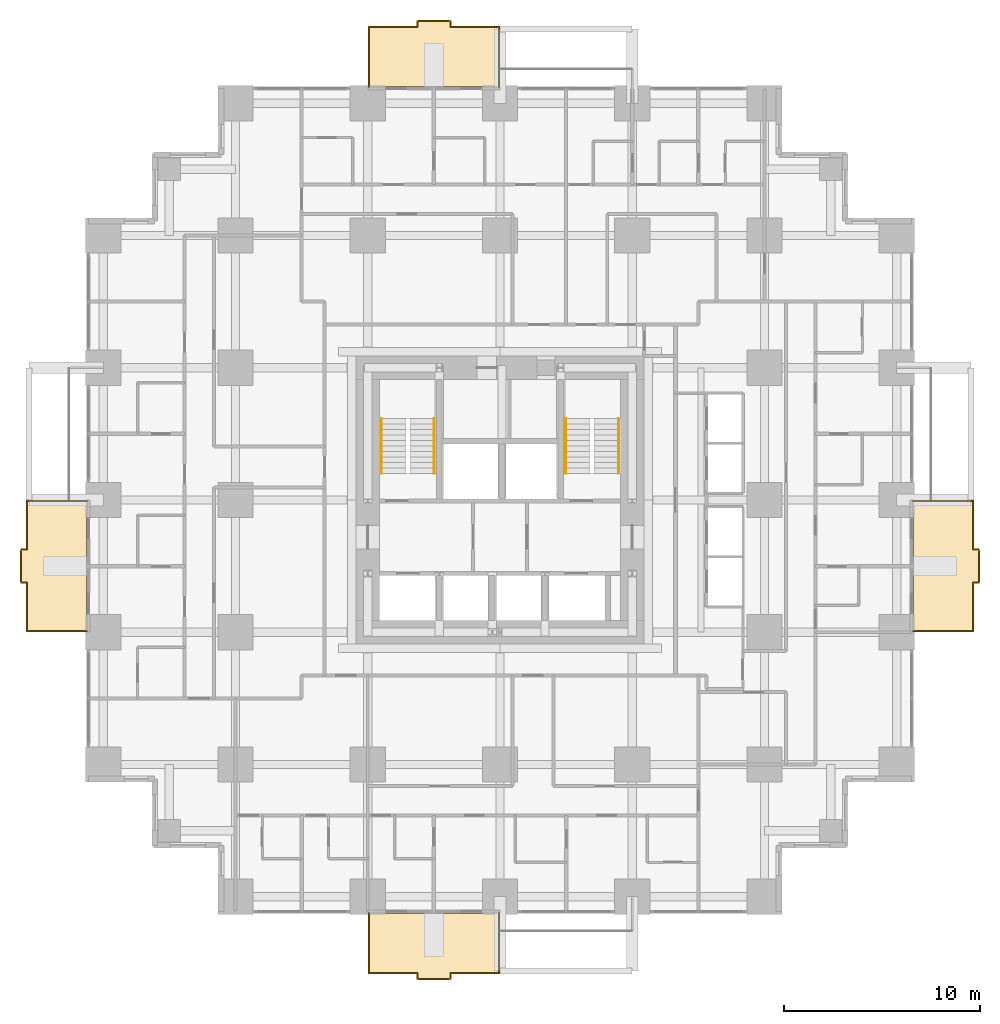
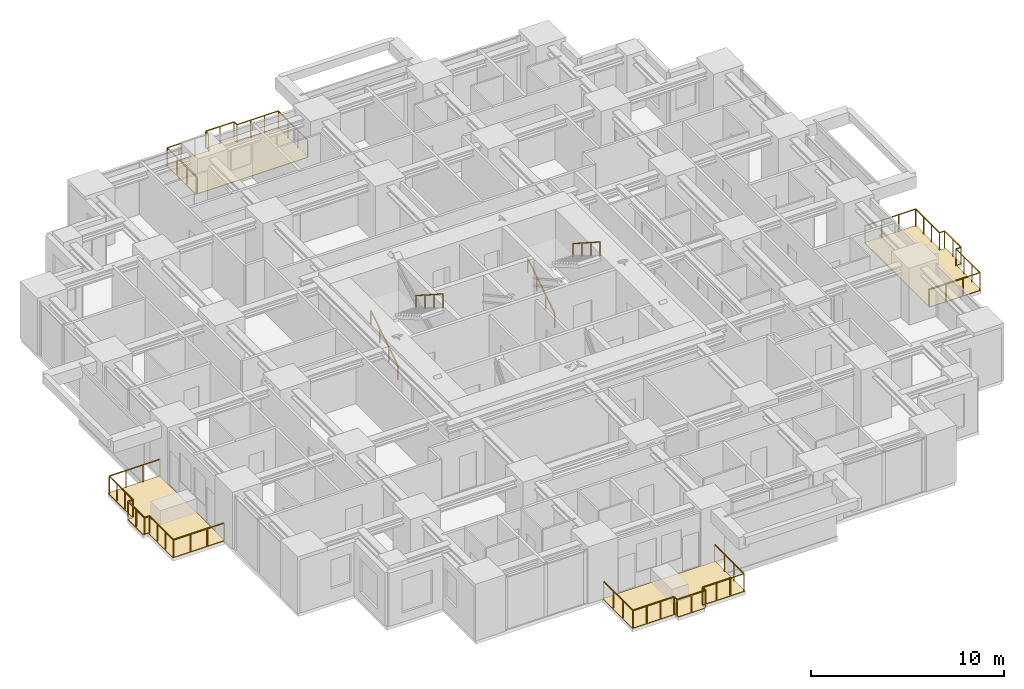
# One storey, part 14 of 14: 8 railings, 4 coverings.
"""IFC4 building model written with IfcOpenShell, lengths in metres."""

from ifc_helpers import new_model, si_unit, direction, frame, origin, origin_2d, place, context, subcontext, project, spatial, polyline, rectangle, outline, extrude, material, layer, layer_set, type_object, element, save


model = new_model("IFC4")

# Units and contexts
model_context = context("Model", 3, precision=1e-05, world=origin(), true_north=direction((0.0, 1.0)))
body_context = subcontext(model_context, "Body", "Model", "MODEL_VIEW")
ifc_project = project(units=[si_unit("LENGTHUNIT", "METRE"), si_unit("AREAUNIT", "SQUARE_METRE"), si_unit("VOLUMEUNIT", "CUBIC_METRE"), si_unit("PLANEANGLEUNIT", "RADIAN"), si_unit("MASSUNIT", "GRAM", prefix="KILO")], contexts=[model_context])

# Site, building, storey
site_placement = place(None, origin())
site = spatial("IfcSite", under=ifc_project, at=site_placement, CompositionType="ELEMENT")
building_placement = place(site_placement, origin())
building = spatial("IfcBuilding", under=site, at=building_placement, Name="Nyansa Garden Tower", CompositionType="ELEMENT")
storey_placement = place(building_placement, frame((0.0, 0.0, 54.0)))
storey = spatial("IfcBuildingStorey", under=building, at=storey_placement, Name="L14", CompositionType="ELEMENT", Elevation=54.0)

# Coverings
ifc_material_1 = material(Name="Hardwood decking on pedestals", Category="wood")
ifc_layer = layer(ifc_material_1, 0.0400390625)
ifc_layer_set = layer_set([ifc_layer], Name="Balcony decking DK40")
covering_type = type_object("IfcCoveringType", Name="Balcony decking DK40", PredefinedType="FLOORING", material=ifc_layer_set)
covering_1_placement = place(storey_placement, frame((0.0, 0.0, -0.0400390625)))
element("IfcCovering", 1, at=covering_1_placement, inside=storey, type_object=covering_type, Name="Balcony decking L14", PredefinedType="FLOORING", context=body_context, shape_type="SweptSolid", body=[
    extrude(outline(polyline([(13.5, -0.85009765625), (20.25, -0.85009765625), (20.25, -3.949951171875), (17.675048828125, -3.949951171875), (17.675048828125, -4.25), (16.074951171875, -4.25), (16.074951171875, -3.949951171875), (13.5, -3.949951171875), (13.5, -0.85009765625)])), origin(), (0.0, 0.0, 1.0), 0.0400390625),
])
covering_2_placement = place(storey_placement, frame((0.0, 0.0, -0.0400390625)))
element("IfcCovering", 2, at=covering_2_placement, inside=storey, type_object=covering_type, Name="Balcony decking L14", PredefinedType="FLOORING", context=body_context, shape_type="SweptSolid", body=[
    extrude(outline(polyline([(41.35009765625, 13.5), (41.35009765625, 20.25), (44.449951171875, 20.25), (44.449951171875, 17.675048828125), (44.75, 17.675048828125), (44.75, 16.074951171875), (44.449951171875, 16.074951171875), (44.449951171875, 13.5), (41.35009765625, 13.5)])), origin(), (0.0, 0.0, 1.0), 0.0400390625),
])
covering_3_placement = place(storey_placement, frame((0.0, 0.0, -0.0400390625)))
element("IfcCovering", 3, at=covering_3_placement, inside=storey, type_object=covering_type, Name="Balcony decking L14", PredefinedType="FLOORING", context=body_context, shape_type="SweptSolid", body=[
    extrude(outline(polyline([(13.5, 41.35009765625), (20.25, 41.35009765625), (20.25, 44.449951171875), (17.675048828125, 44.449951171875), (17.675048828125, 44.75), (16.074951171875, 44.75), (16.074951171875, 44.449951171875), (13.5, 44.449951171875), (13.5, 41.35009765625)])), origin(), (0.0, 0.0, 1.0), 0.0400390625),
])
covering_4_placement = place(storey_placement, frame((0.0, 0.0, -0.0400390625)))
element("IfcCovering", 4, at=covering_4_placement, inside=storey, type_object=covering_type, Name="Balcony decking L14", PredefinedType="FLOORING", context=body_context, shape_type="SweptSolid", body=[
    extrude(outline(polyline([(-0.85009765625, 13.5), (-0.85009765625, 20.25), (-3.949951171875, 20.25), (-3.949951171875, 17.675048828125), (-4.25, 17.675048828125), (-4.25, 16.074951171875), (-3.949951171875, 16.074951171875), (-3.949951171875, 13.5), (-0.85009765625, 13.5)])), origin(), (0.0, 0.0, 1.0), 0.0400390625),
])

# Railings
ifc_material_2 = material(Name="Black powder-coated steel balusters, laminated glass infill", Category="steel")
railing_type_1 = type_object("IfcRailingType", Name="Balcony guard G1", PredefinedType="GUARDRAIL", material=ifc_material_2)
railing_1_placement = place(storey_placement, frame((13.550048828125, -0.85009765625, 0.0)))
element("IfcRailing", 5, at=railing_1_placement, inside=storey, type_object=railing_type_1, Name="Balcony guard L14", PredefinedType="GUARDRAIL", context=body_context, shape_type="SweptSolid", body=[
    extrude(rectangle(XDim=0.048095703125, YDim=0.048095703125, at=origin_2d()), frame((0.0, 0.0, 1.076171875), z_axis=(0.0, -1.0, 0.0), x_axis=(1.0, 0.0, 0.0)), (0.0, 0.0, 1.0), 3.0498046875),
    extrude(rectangle(XDim=0.048095703125, YDim=0.048095703125, at=origin_2d()), frame((0.0, -3.0498046875, 1.076171875), z_axis=(1.0, 0.0, 0.0), x_axis=(0.0, 1.0, 0.0)), (0.0, 0.0, 1.0), 2.474853515625),
    extrude(rectangle(XDim=0.048095703125, YDim=0.048095703125, at=origin_2d()), frame((2.474853515625, -3.0498046875, 1.076171875), z_axis=(0.0, -1.0, 0.0), x_axis=(1.0, 0.0, 0.0)), (0.0, 0.0, 1.0), 0.300048828125),
    extrude(rectangle(XDim=0.048095703125, YDim=0.048095703125, at=origin_2d()), frame((2.474853515625, -3.349853515625, 1.076171875), z_axis=(1.0, 0.0, 0.0), x_axis=(0.0, 1.0, 0.0)), (0.0, 0.0, 1.0), 1.7001953125),
    extrude(rectangle(XDim=0.048095703125, YDim=0.048095703125, at=origin_2d()), frame((4.175048828125, -3.349853515625, 1.076171875), z_axis=(0.0, 1.0, 0.0), x_axis=(-1.0, 0.0, 0.0)), (0.0, 0.0, 1.0), 0.300048828125),
    extrude(rectangle(XDim=0.048095703125, YDim=0.048095703125, at=origin_2d()), frame((4.175048828125, -3.0498046875, 1.076171875), z_axis=(1.0, 0.0, 0.0), x_axis=(0.0, 1.0, 0.0)), (0.0, 0.0, 1.0), 2.474853515625),
    extrude(rectangle(XDim=0.048095703125, YDim=0.048095703125, at=origin_2d()), frame((6.64990234375, -3.0498046875, 1.076171875), z_axis=(0.0, 1.0, 0.0), x_axis=(-1.0, 0.0, 0.0)), (0.0, 0.0, 1.0), 3.0498046875),
    extrude(rectangle(XDim=0.0419921875, YDim=0.0419921875, at=origin_2d()), origin(), (0.0, 0.0, 1.0), 1.052001953125),
    extrude(rectangle(XDim=0.0419921875, YDim=0.0419921875, at=origin_2d()), frame((0.0, -1.0166015625, 0.0)), (0.0, 0.0, 1.0), 1.052001953125),
    extrude(rectangle(XDim=0.0419921875, YDim=0.0419921875, at=origin_2d()), frame((0.0, -2.033203125, 0.0)), (0.0, 0.0, 1.0), 1.052001953125),
    extrude(rectangle(XDim=0.0419921875, YDim=0.0419921875, at=origin_2d()), frame((0.0, -3.0498046875, 0.0)), (0.0, 0.0, 1.0), 1.052001953125),
    extrude(rectangle(XDim=0.0419921875, YDim=0.0419921875, at=origin_2d()), frame((0.824951171875, -3.0498046875, 0.0)), (0.0, 0.0, 1.0), 1.052001953125),
    extrude(rectangle(XDim=0.0419921875, YDim=0.0419921875, at=origin_2d()), frame((1.64990234375, -3.0498046875, 0.0)), (0.0, 0.0, 1.0), 1.052001953125),
    extrude(rectangle(XDim=0.0419921875, YDim=0.0419921875, at=origin_2d()), frame((2.474853515625, -3.0498046875, 0.0)), (0.0, 0.0, 1.0), 1.052001953125),
    extrude(rectangle(XDim=0.0419921875, YDim=0.0419921875, at=origin_2d()), frame((2.474853515625, -3.349853515625, 0.0)), (0.0, 0.0, 1.0), 1.052001953125),
    extrude(rectangle(XDim=0.0419921875, YDim=0.0419921875, at=origin_2d()), frame((3.324951171875, -3.349853515625, 0.0)), (0.0, 0.0, 1.0), 1.052001953125),
    extrude(rectangle(XDim=0.0419921875, YDim=0.0419921875, at=origin_2d()), frame((4.175048828125, -3.349853515625, 0.0)), (0.0, 0.0, 1.0), 1.052001953125),
    extrude(rectangle(XDim=0.0419921875, YDim=0.0419921875, at=origin_2d()), frame((4.175048828125, -3.0498046875, 0.0)), (0.0, 0.0, 1.0), 1.052001953125),
    extrude(rectangle(XDim=0.0419921875, YDim=0.0419921875, at=origin_2d()), frame((5.0, -3.0498046875, 0.0)), (0.0, 0.0, 1.0), 1.052001953125),
    extrude(rectangle(XDim=0.0419921875, YDim=0.0419921875, at=origin_2d()), frame((5.824951171875, -3.0498046875, 0.0)), (0.0, 0.0, 1.0), 1.052001953125),
    extrude(rectangle(XDim=0.0419921875, YDim=0.0419921875, at=origin_2d()), frame((6.64990234375, -3.0498046875, 0.0)), (0.0, 0.0, 1.0), 1.052001953125),
    extrude(rectangle(XDim=0.0419921875, YDim=0.0419921875, at=origin_2d()), frame((6.64990234375, -2.033203125, 0.0)), (0.0, 0.0, 1.0), 1.052001953125),
    extrude(rectangle(XDim=0.0419921875, YDim=0.0419921875, at=origin_2d()), frame((6.64990234375, -1.0166015625, 0.0)), (0.0, 0.0, 1.0), 1.052001953125),
    extrude(rectangle(XDim=0.0419921875, YDim=0.0419921875, at=origin_2d()), frame((6.64990234375, 0.0, 0.0)), (0.0, 0.0, 1.0), 1.052001953125),
])
railing_2_placement = place(storey_placement, frame((41.35009765625, 13.550048828125, 0.0)))
element("IfcRailing", 6, at=railing_2_placement, inside=storey, type_object=railing_type_1, Name="Balcony guard L14", PredefinedType="GUARDRAIL", context=body_context, shape_type="SweptSolid", body=[
    extrude(rectangle(XDim=0.048095703125, YDim=0.048095703125, at=origin_2d()), frame((0.0, 0.0, 1.076171875), z_axis=(1.0, 0.0, 0.0), x_axis=(0.0, 1.0, 0.0)), (0.0, 0.0, 1.0), 3.0498046875),
    extrude(rectangle(XDim=0.048095703125, YDim=0.048095703125, at=origin_2d()), frame((3.0498046875, 0.0, 1.076171875), z_axis=(0.0, 1.0, 0.0), x_axis=(-1.0, 0.0, 0.0)), (0.0, 0.0, 1.0), 2.474853515625),
    extrude(rectangle(XDim=0.048095703125, YDim=0.048095703125, at=origin_2d()), frame((3.0498046875, 2.474853515625, 1.076171875), z_axis=(1.0, 0.0, 0.0), x_axis=(0.0, 1.0, 0.0)), (0.0, 0.0, 1.0), 0.300048828125),
    extrude(rectangle(XDim=0.048095703125, YDim=0.048095703125, at=origin_2d()), frame((3.349853515625, 2.474853515625, 1.076171875), z_axis=(0.0, 1.0, 0.0), x_axis=(-1.0, 0.0, 0.0)), (0.0, 0.0, 1.0), 1.7001953125),
    extrude(rectangle(XDim=0.048095703125, YDim=0.048095703125, at=origin_2d()), frame((3.349853515625, 4.175048828125, 1.076171875), z_axis=(-1.0, 0.0, 0.0), x_axis=(0.0, -1.0, 0.0)), (0.0, 0.0, 1.0), 0.300048828125),
    extrude(rectangle(XDim=0.048095703125, YDim=0.048095703125, at=origin_2d()), frame((3.0498046875, 4.175048828125, 1.076171875), z_axis=(0.0, 1.0, 0.0), x_axis=(-1.0, 0.0, 0.0)), (0.0, 0.0, 1.0), 2.474853515625),
    extrude(rectangle(XDim=0.048095703125, YDim=0.048095703125, at=origin_2d()), frame((3.0498046875, 6.64990234375, 1.076171875), z_axis=(-1.0, 0.0, 0.0), x_axis=(0.0, -1.0, 0.0)), (0.0, 0.0, 1.0), 3.0498046875),
    extrude(rectangle(XDim=0.0419921875, YDim=0.0419921875, at=origin_2d()), origin(), (0.0, 0.0, 1.0), 1.052001953125),
    extrude(rectangle(XDim=0.0419921875, YDim=0.0419921875, at=origin_2d()), frame((1.0166015625, 0.0, 0.0)), (0.0, 0.0, 1.0), 1.052001953125),
    extrude(rectangle(XDim=0.0419921875, YDim=0.0419921875, at=origin_2d()), frame((2.033203125, 0.0, 0.0)), (0.0, 0.0, 1.0), 1.052001953125),
    extrude(rectangle(XDim=0.0419921875, YDim=0.0419921875, at=origin_2d()), frame((3.0498046875, 0.0, 0.0)), (0.0, 0.0, 1.0), 1.052001953125),
    extrude(rectangle(XDim=0.0419921875, YDim=0.0419921875, at=origin_2d()), frame((3.0498046875, 0.824951171875, 0.0)), (0.0, 0.0, 1.0), 1.052001953125),
    extrude(rectangle(XDim=0.0419921875, YDim=0.0419921875, at=origin_2d()), frame((3.0498046875, 1.64990234375, 0.0)), (0.0, 0.0, 1.0), 1.052001953125),
    extrude(rectangle(XDim=0.0419921875, YDim=0.0419921875, at=origin_2d()), frame((3.0498046875, 2.474853515625, 0.0)), (0.0, 0.0, 1.0), 1.052001953125),
    extrude(rectangle(XDim=0.0419921875, YDim=0.0419921875, at=origin_2d()), frame((3.349853515625, 2.474853515625, 0.0)), (0.0, 0.0, 1.0), 1.052001953125),
    extrude(rectangle(XDim=0.0419921875, YDim=0.0419921875, at=origin_2d()), frame((3.349853515625, 3.324951171875, 0.0)), (0.0, 0.0, 1.0), 1.052001953125),
    extrude(rectangle(XDim=0.0419921875, YDim=0.0419921875, at=origin_2d()), frame((3.349853515625, 4.175048828125, 0.0)), (0.0, 0.0, 1.0), 1.052001953125),
    extrude(rectangle(XDim=0.0419921875, YDim=0.0419921875, at=origin_2d()), frame((3.0498046875, 4.175048828125, 0.0)), (0.0, 0.0, 1.0), 1.052001953125),
    extrude(rectangle(XDim=0.0419921875, YDim=0.0419921875, at=origin_2d()), frame((3.0498046875, 5.0, 0.0)), (0.0, 0.0, 1.0), 1.052001953125),
    extrude(rectangle(XDim=0.0419921875, YDim=0.0419921875, at=origin_2d()), frame((3.0498046875, 5.824951171875, 0.0)), (0.0, 0.0, 1.0), 1.052001953125),
    extrude(rectangle(XDim=0.0419921875, YDim=0.0419921875, at=origin_2d()), frame((3.0498046875, 6.64990234375, 0.0)), (0.0, 0.0, 1.0), 1.052001953125),
    extrude(rectangle(XDim=0.0419921875, YDim=0.0419921875, at=origin_2d()), frame((2.033203125, 6.64990234375, 0.0)), (0.0, 0.0, 1.0), 1.052001953125),
    extrude(rectangle(XDim=0.0419921875, YDim=0.0419921875, at=origin_2d()), frame((1.0166015625, 6.64990234375, 0.0)), (0.0, 0.0, 1.0), 1.052001953125),
    extrude(rectangle(XDim=0.0419921875, YDim=0.0419921875, at=origin_2d()), frame((0.0, 6.64990234375, 0.0)), (0.0, 0.0, 1.0), 1.052001953125),
])
railing_3_placement = place(storey_placement, frame((13.550048828125, 41.35009765625, 0.0)))
element("IfcRailing", 7, at=railing_3_placement, inside=storey, type_object=railing_type_1, Name="Balcony guard L14", PredefinedType="GUARDRAIL", context=body_context, shape_type="SweptSolid", body=[
    extrude(rectangle(XDim=0.048095703125, YDim=0.048095703125, at=origin_2d()), frame((0.0, 0.0, 1.076171875), z_axis=(0.0, 1.0, 0.0), x_axis=(-1.0, 0.0, 0.0)), (0.0, 0.0, 1.0), 3.0498046875),
    extrude(rectangle(XDim=0.048095703125, YDim=0.048095703125, at=origin_2d()), frame((0.0, 3.0498046875, 1.076171875), z_axis=(1.0, 0.0, 0.0), x_axis=(0.0, 1.0, 0.0)), (0.0, 0.0, 1.0), 2.474853515625),
    extrude(rectangle(XDim=0.048095703125, YDim=0.048095703125, at=origin_2d()), frame((2.474853515625, 3.0498046875, 1.076171875), z_axis=(0.0, 1.0, 0.0), x_axis=(-1.0, 0.0, 0.0)), (0.0, 0.0, 1.0), 0.300048828125),
    extrude(rectangle(XDim=0.048095703125, YDim=0.048095703125, at=origin_2d()), frame((2.474853515625, 3.349853515625, 1.076171875), z_axis=(1.0, 0.0, 0.0), x_axis=(0.0, 1.0, 0.0)), (0.0, 0.0, 1.0), 1.7001953125),
    extrude(rectangle(XDim=0.048095703125, YDim=0.048095703125, at=origin_2d()), frame((4.175048828125, 3.349853515625, 1.076171875), z_axis=(0.0, -1.0, 0.0), x_axis=(1.0, 0.0, 0.0)), (0.0, 0.0, 1.0), 0.300048828125),
    extrude(rectangle(XDim=0.048095703125, YDim=0.048095703125, at=origin_2d()), frame((4.175048828125, 3.0498046875, 1.076171875), z_axis=(1.0, 0.0, 0.0), x_axis=(0.0, 1.0, 0.0)), (0.0, 0.0, 1.0), 2.474853515625),
    extrude(rectangle(XDim=0.048095703125, YDim=0.048095703125, at=origin_2d()), frame((6.64990234375, 3.0498046875, 1.076171875), z_axis=(0.0, -1.0, 0.0), x_axis=(1.0, 0.0, 0.0)), (0.0, 0.0, 1.0), 3.0498046875),
    extrude(rectangle(XDim=0.0419921875, YDim=0.0419921875, at=origin_2d()), origin(), (0.0, 0.0, 1.0), 1.052001953125),
    extrude(rectangle(XDim=0.0419921875, YDim=0.0419921875, at=origin_2d()), frame((0.0, 1.0166015625, 0.0)), (0.0, 0.0, 1.0), 1.052001953125),
    extrude(rectangle(XDim=0.0419921875, YDim=0.0419921875, at=origin_2d()), frame((0.0, 2.033203125, 0.0)), (0.0, 0.0, 1.0), 1.052001953125),
    extrude(rectangle(XDim=0.0419921875, YDim=0.0419921875, at=origin_2d()), frame((0.0, 3.0498046875, 0.0)), (0.0, 0.0, 1.0), 1.052001953125),
    extrude(rectangle(XDim=0.0419921875, YDim=0.0419921875, at=origin_2d()), frame((0.824951171875, 3.0498046875, 0.0)), (0.0, 0.0, 1.0), 1.052001953125),
    extrude(rectangle(XDim=0.0419921875, YDim=0.0419921875, at=origin_2d()), frame((1.64990234375, 3.0498046875, 0.0)), (0.0, 0.0, 1.0), 1.052001953125),
    extrude(rectangle(XDim=0.0419921875, YDim=0.0419921875, at=origin_2d()), frame((2.474853515625, 3.0498046875, 0.0)), (0.0, 0.0, 1.0), 1.052001953125),
    extrude(rectangle(XDim=0.0419921875, YDim=0.0419921875, at=origin_2d()), frame((2.474853515625, 3.349853515625, 0.0)), (0.0, 0.0, 1.0), 1.052001953125),
    extrude(rectangle(XDim=0.0419921875, YDim=0.0419921875, at=origin_2d()), frame((3.324951171875, 3.349853515625, 0.0)), (0.0, 0.0, 1.0), 1.052001953125),
    extrude(rectangle(XDim=0.0419921875, YDim=0.0419921875, at=origin_2d()), frame((4.175048828125, 3.349853515625, 0.0)), (0.0, 0.0, 1.0), 1.052001953125),
    extrude(rectangle(XDim=0.0419921875, YDim=0.0419921875, at=origin_2d()), frame((4.175048828125, 3.0498046875, 0.0)), (0.0, 0.0, 1.0), 1.052001953125),
    extrude(rectangle(XDim=0.0419921875, YDim=0.0419921875, at=origin_2d()), frame((5.0, 3.0498046875, 0.0)), (0.0, 0.0, 1.0), 1.052001953125),
    extrude(rectangle(XDim=0.0419921875, YDim=0.0419921875, at=origin_2d()), frame((5.824951171875, 3.0498046875, 0.0)), (0.0, 0.0, 1.0), 1.052001953125),
    extrude(rectangle(XDim=0.0419921875, YDim=0.0419921875, at=origin_2d()), frame((6.64990234375, 3.0498046875, 0.0)), (0.0, 0.0, 1.0), 1.052001953125),
    extrude(rectangle(XDim=0.0419921875, YDim=0.0419921875, at=origin_2d()), frame((6.64990234375, 2.033203125, 0.0)), (0.0, 0.0, 1.0), 1.052001953125),
    extrude(rectangle(XDim=0.0419921875, YDim=0.0419921875, at=origin_2d()), frame((6.64990234375, 1.0166015625, 0.0)), (0.0, 0.0, 1.0), 1.052001953125),
    extrude(rectangle(XDim=0.0419921875, YDim=0.0419921875, at=origin_2d()), frame((6.64990234375, 0.0, 0.0)), (0.0, 0.0, 1.0), 1.052001953125),
])
railing_4_placement = place(storey_placement, frame((-0.85009765625, 13.550048828125, 0.0)))
element("IfcRailing", 8, at=railing_4_placement, inside=storey, type_object=railing_type_1, Name="Balcony guard L14", PredefinedType="GUARDRAIL", context=body_context, shape_type="SweptSolid", body=[
    extrude(rectangle(XDim=0.048095703125, YDim=0.048095703125, at=origin_2d()), frame((0.0, 0.0, 1.076171875), z_axis=(-1.0, 0.0, 0.0), x_axis=(0.0, -1.0, 0.0)), (0.0, 0.0, 1.0), 3.0498046875),
    extrude(rectangle(XDim=0.048095703125, YDim=0.048095703125, at=origin_2d()), frame((-3.0498046875, 0.0, 1.076171875), z_axis=(0.0, 1.0, 0.0), x_axis=(-1.0, 0.0, 0.0)), (0.0, 0.0, 1.0), 2.474853515625),
    extrude(rectangle(XDim=0.048095703125, YDim=0.048095703125, at=origin_2d()), frame((-3.0498046875, 2.474853515625, 1.076171875), z_axis=(-1.0, 0.0, 0.0), x_axis=(0.0, -1.0, 0.0)), (0.0, 0.0, 1.0), 0.300048828125),
    extrude(rectangle(XDim=0.048095703125, YDim=0.048095703125, at=origin_2d()), frame((-3.349853515625, 2.474853515625, 1.076171875), z_axis=(0.0, 1.0, 0.0), x_axis=(-1.0, 0.0, 0.0)), (0.0, 0.0, 1.0), 1.7001953125),
    extrude(rectangle(XDim=0.048095703125, YDim=0.048095703125, at=origin_2d()), frame((-3.349853515625, 4.175048828125, 1.076171875), z_axis=(1.0, 0.0, 0.0), x_axis=(0.0, 1.0, 0.0)), (0.0, 0.0, 1.0), 0.300048828125),
    extrude(rectangle(XDim=0.048095703125, YDim=0.048095703125, at=origin_2d()), frame((-3.0498046875, 4.175048828125, 1.076171875), z_axis=(0.0, 1.0, 0.0), x_axis=(-1.0, 0.0, 0.0)), (0.0, 0.0, 1.0), 2.474853515625),
    extrude(rectangle(XDim=0.048095703125, YDim=0.048095703125, at=origin_2d()), frame((-3.0498046875, 6.64990234375, 1.076171875), z_axis=(1.0, 0.0, 0.0), x_axis=(0.0, 1.0, 0.0)), (0.0, 0.0, 1.0), 3.0498046875),
    extrude(rectangle(XDim=0.0419921875, YDim=0.0419921875, at=origin_2d()), origin(), (0.0, 0.0, 1.0), 1.052001953125),
    extrude(rectangle(XDim=0.0419921875, YDim=0.0419921875, at=origin_2d()), frame((-1.0166015625, 0.0, 0.0)), (0.0, 0.0, 1.0), 1.052001953125),
    extrude(rectangle(XDim=0.0419921875, YDim=0.0419921875, at=origin_2d()), frame((-2.033203125, 0.0, 0.0)), (0.0, 0.0, 1.0), 1.052001953125),
    extrude(rectangle(XDim=0.0419921875, YDim=0.0419921875, at=origin_2d()), frame((-3.0498046875, 0.0, 0.0)), (0.0, 0.0, 1.0), 1.052001953125),
    extrude(rectangle(XDim=0.0419921875, YDim=0.0419921875, at=origin_2d()), frame((-3.0498046875, 0.824951171875, 0.0)), (0.0, 0.0, 1.0), 1.052001953125),
    extrude(rectangle(XDim=0.0419921875, YDim=0.0419921875, at=origin_2d()), frame((-3.0498046875, 1.64990234375, 0.0)), (0.0, 0.0, 1.0), 1.052001953125),
    extrude(rectangle(XDim=0.0419921875, YDim=0.0419921875, at=origin_2d()), frame((-3.0498046875, 2.474853515625, 0.0)), (0.0, 0.0, 1.0), 1.052001953125),
    extrude(rectangle(XDim=0.0419921875, YDim=0.0419921875, at=origin_2d()), frame((-3.349853515625, 2.474853515625, 0.0)), (0.0, 0.0, 1.0), 1.052001953125),
    extrude(rectangle(XDim=0.0419921875, YDim=0.0419921875, at=origin_2d()), frame((-3.349853515625, 3.324951171875, 0.0)), (0.0, 0.0, 1.0), 1.052001953125),
    extrude(rectangle(XDim=0.0419921875, YDim=0.0419921875, at=origin_2d()), frame((-3.349853515625, 4.175048828125, 0.0)), (0.0, 0.0, 1.0), 1.052001953125),
    extrude(rectangle(XDim=0.0419921875, YDim=0.0419921875, at=origin_2d()), frame((-3.0498046875, 4.175048828125, 0.0)), (0.0, 0.0, 1.0), 1.052001953125),
    extrude(rectangle(XDim=0.0419921875, YDim=0.0419921875, at=origin_2d()), frame((-3.0498046875, 5.0, 0.0)), (0.0, 0.0, 1.0), 1.052001953125),
    extrude(rectangle(XDim=0.0419921875, YDim=0.0419921875, at=origin_2d()), frame((-3.0498046875, 5.824951171875, 0.0)), (0.0, 0.0, 1.0), 1.052001953125),
    extrude(rectangle(XDim=0.0419921875, YDim=0.0419921875, at=origin_2d()), frame((-3.0498046875, 6.64990234375, 0.0)), (0.0, 0.0, 1.0), 1.052001953125),
    extrude(rectangle(XDim=0.0419921875, YDim=0.0419921875, at=origin_2d()), frame((-2.033203125, 6.64990234375, 0.0)), (0.0, 0.0, 1.0), 1.052001953125),
    extrude(rectangle(XDim=0.0419921875, YDim=0.0419921875, at=origin_2d()), frame((-1.0166015625, 6.64990234375, 0.0)), (0.0, 0.0, 1.0), 1.052001953125),
    extrude(rectangle(XDim=0.0419921875, YDim=0.0419921875, at=origin_2d()), frame((0.0, 6.64990234375, 0.0)), (0.0, 0.0, 1.0), 1.052001953125),
])
ifc_material_3 = material(Name="Black powder-coated steel tube 48 mm", Category="steel")
railing_type_2 = type_object("IfcRailingType", Name="Stair handrail HR1", PredefinedType="HANDRAIL", material=ifc_material_3)
railing_5_placement = place(storey_placement, frame((14.199951171875, 21.60009765625, 0.0)))
element("IfcRailing", 9, at=railing_5_placement, inside=storey, type_object=railing_type_2, Name="Stair S1 handrail L14", PredefinedType="HANDRAIL", context=body_context, shape_type="SweptSolid", body=[
    extrude(rectangle(XDim=0.048095703125, YDim=0.048095703125, at=origin_2d()), frame((0.0, 0.0, 0.8759765625), z_axis=(0.0, 0.841154643086, 0.54079466197), x_axis=(-1.0, 0.0, 0.0)), (0.0, 0.0, 1.0), 3.32861328125),
    extrude(rectangle(XDim=0.0419921875, YDim=0.0419921875, at=origin_2d()), origin(), (0.0, 0.0, 1.0), 0.851806640625),
    extrude(rectangle(XDim=0.0419921875, YDim=0.0419921875, at=origin_2d()), frame((0.0, 0.933349609375, 0.60009765625)), (0.0, 0.0, 1.0), 0.851806640625),
    extrude(rectangle(XDim=0.0419921875, YDim=0.0419921875, at=origin_2d()), frame((0.0, 1.866455078125, 1.199951171875)), (0.0, 0.0, 1.0), 0.851806640625),
    extrude(rectangle(XDim=0.0419921875, YDim=0.0419921875, at=origin_2d()), frame((0.0, 2.7998046875, 1.800048828125)), (0.0, 0.0, 1.0), 0.851806640625),
])
railing_6_placement = place(storey_placement, frame((16.89990234375, 24.39990234375, 1.800048828125)))
element("IfcRailing", 10, at=railing_6_placement, inside=storey, type_object=railing_type_2, Name="Stair S1 handrail L14", PredefinedType="HANDRAIL", context=body_context, shape_type="SweptSolid", body=[
    extrude(rectangle(XDim=0.048095703125, YDim=0.048095703125, at=origin_2d()), frame((0.0, 0.0, 0.8759765625), z_axis=(0.0, -0.841154643086, 0.54079466197), x_axis=(1.0, 0.0, 0.0)), (0.0, 0.0, 1.0), 3.32861328125),
    extrude(rectangle(XDim=0.0419921875, YDim=0.0419921875, at=origin_2d()), origin(), (0.0, 0.0, 1.0), 0.851806640625),
    extrude(rectangle(XDim=0.0419921875, YDim=0.0419921875, at=origin_2d()), frame((0.0, -0.933349609375, 0.60009765625)), (0.0, 0.0, 1.0), 0.851806640625),
    extrude(rectangle(XDim=0.0419921875, YDim=0.0419921875, at=origin_2d()), frame((0.0, -1.866455078125, 1.199951171875)), (0.0, 0.0, 1.0), 0.851806640625),
    extrude(rectangle(XDim=0.0419921875, YDim=0.0419921875, at=origin_2d()), frame((0.0, -2.7998046875, 1.800048828125)), (0.0, 0.0, 1.0), 0.851806640625),
])
railing_7_placement = place(storey_placement, frame((23.60009765625, 21.60009765625, 0.0)))
element("IfcRailing", 11, at=railing_7_placement, inside=storey, type_object=railing_type_2, Name="Stair S2 handrail L14", PredefinedType="HANDRAIL", context=body_context, shape_type="SweptSolid", body=[
    extrude(rectangle(XDim=0.048095703125, YDim=0.048095703125, at=origin_2d()), frame((0.0, 0.0, 0.8759765625), z_axis=(0.0, 0.841154643086, 0.54079466197), x_axis=(-1.0, 0.0, 0.0)), (0.0, 0.0, 1.0), 3.32861328125),
    extrude(rectangle(XDim=0.0419921875, YDim=0.0419921875, at=origin_2d()), origin(), (0.0, 0.0, 1.0), 0.851806640625),
    extrude(rectangle(XDim=0.0419921875, YDim=0.0419921875, at=origin_2d()), frame((0.0, 0.933349609375, 0.60009765625)), (0.0, 0.0, 1.0), 0.851806640625),
    extrude(rectangle(XDim=0.0419921875, YDim=0.0419921875, at=origin_2d()), frame((0.0, 1.866455078125, 1.199951171875)), (0.0, 0.0, 1.0), 0.851806640625),
    extrude(rectangle(XDim=0.0419921875, YDim=0.0419921875, at=origin_2d()), frame((0.0, 2.7998046875, 1.800048828125)), (0.0, 0.0, 1.0), 0.851806640625),
])
railing_8_placement = place(storey_placement, frame((26.300048828125, 24.39990234375, 1.800048828125)))
element("IfcRailing", 12, at=railing_8_placement, inside=storey, type_object=railing_type_2, Name="Stair S2 handrail L14", PredefinedType="HANDRAIL", context=body_context, shape_type="SweptSolid", body=[
    extrude(rectangle(XDim=0.048095703125, YDim=0.048095703125, at=origin_2d()), frame((0.0, 0.0, 0.8759765625), z_axis=(0.0, -0.841154643086, 0.54079466197), x_axis=(1.0, 0.0, 0.0)), (0.0, 0.0, 1.0), 3.32861328125),
    extrude(rectangle(XDim=0.0419921875, YDim=0.0419921875, at=origin_2d()), origin(), (0.0, 0.0, 1.0), 0.851806640625),
    extrude(rectangle(XDim=0.0419921875, YDim=0.0419921875, at=origin_2d()), frame((0.0, -0.933349609375, 0.60009765625)), (0.0, 0.0, 1.0), 0.851806640625),
    extrude(rectangle(XDim=0.0419921875, YDim=0.0419921875, at=origin_2d()), frame((0.0, -1.866455078125, 1.199951171875)), (0.0, 0.0, 1.0), 0.851806640625),
    extrude(rectangle(XDim=0.0419921875, YDim=0.0419921875, at=origin_2d()), frame((0.0, -2.7998046875, 1.800048828125)), (0.0, 0.0, 1.0), 0.851806640625),
])

save(model, "model.ifc")
